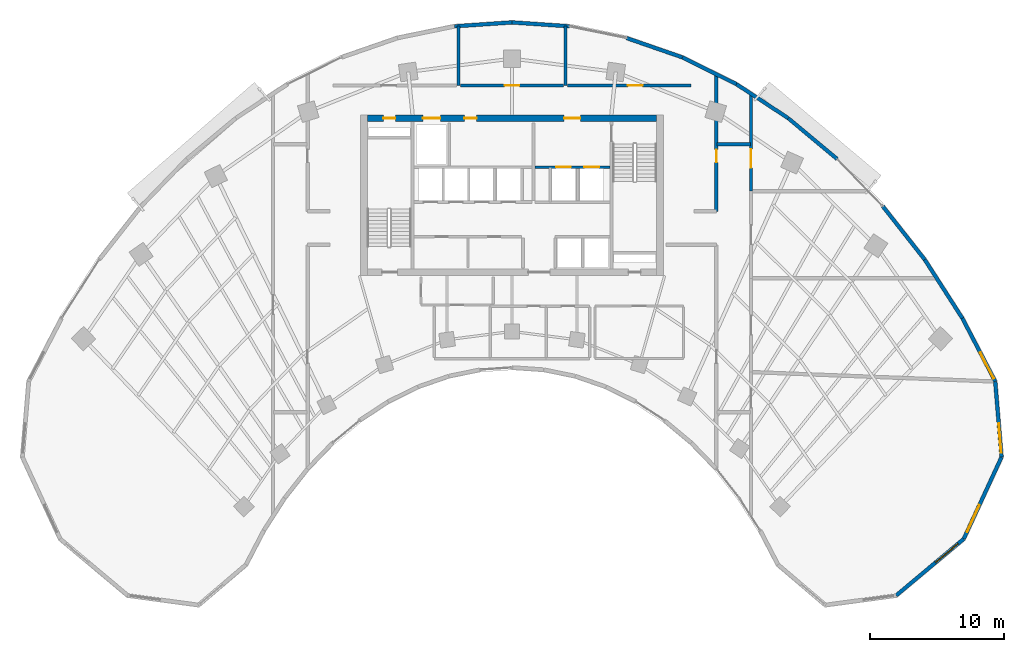
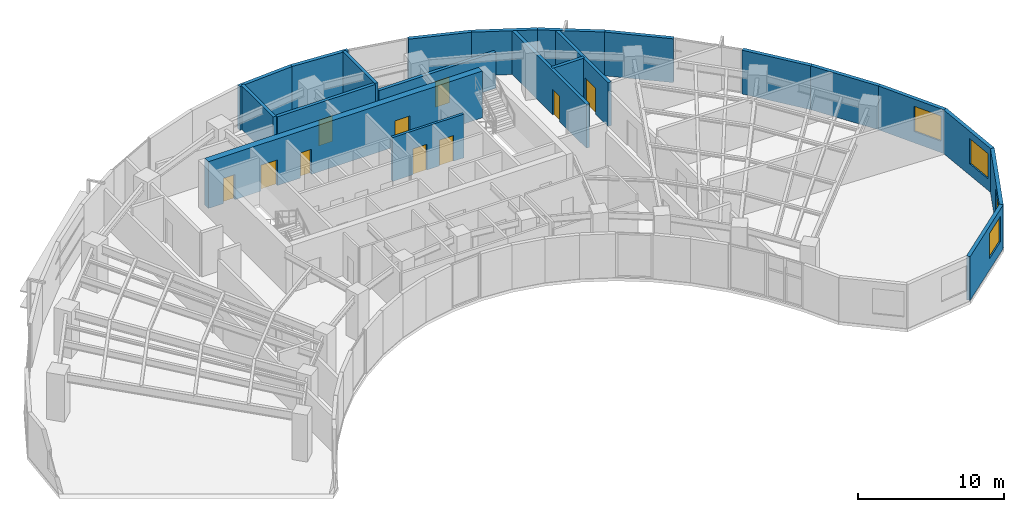
# One storey, part 11 of 14: 21 walls, 10 doors, 4 windows, 14 openings.
"""IFC4 building model written with IfcOpenShell, lengths in metres."""

from ifc_helpers import new_model, si_unit, direction, frame, frame_2d, origin, place, context, subcontext, project, spatial, rectangle, extrude, source, transform, mapped, material, layer, layer_set, type_object, type_shapes, element, fill, save


model = new_model("IFC4")

# Units and contexts
model_context = context("Model", 3, precision=1e-05, world=origin(), true_north=direction((0.0, 1.0)))
body_context = subcontext(model_context, "Body", "Model", "MODEL_VIEW")
ifc_project = project(units=[si_unit("LENGTHUNIT", "METRE"), si_unit("AREAUNIT", "SQUARE_METRE"), si_unit("VOLUMEUNIT", "CUBIC_METRE"), si_unit("PLANEANGLEUNIT", "RADIAN"), si_unit("MASSUNIT", "GRAM", prefix="KILO")], contexts=[model_context])

# Site, building, storey
site_placement = place(None, origin())
site = spatial("IfcSite", under=ifc_project, at=site_placement, CompositionType="ELEMENT")
building_placement = place(site_placement, origin())
building = spatial("IfcBuilding", under=site, at=building_placement, Name="Breltana Convention Tower", CompositionType="ELEMENT")
storey_placement = place(building_placement, frame((0.0, 0.0, 119.39990234375)))
storey = spatial("IfcBuildingStorey", under=building, at=storey_placement, Name="L28", CompositionType="ELEMENT", Elevation=119.39990234375)

# Wall, openings, doors
ifc_material_1 = material(Name="Concrete C60/75", Category="concrete")
ifc_layer_1 = layer(ifc_material_1, 0.5, Name="Concrete C60/75")
ifc_layer_set_1 = layer_set([ifc_layer_1], Name="Concrete C60/75")
wall_type_1 = type_object("IfcWallType", Name="SW-CORE-500", PredefinedType="SHEAR", material=ifc_layer_set_1)
shared_shape_1 = source(origin(), body_context, "Body", "SweptSolid", [
    extrude(rectangle(XDim=21.60009765625, YDim=0.5, at=frame_2d((10.800048828125, 0.0))), origin(), (0.0, 0.0, 1.0), 3.900146484375),
])
wall_1_placement = place(storey_placement, frame((37.199951171875, 71.949951171875, 0.0), z_axis=(0.0, 0.0, 1.0), x_axis=(1.0, 0.0, 0.0)))
wall_1 = element("IfcWall", 1, at=wall_1_placement, inside=storey, type_object=wall_type_1, Name="L28 North Core Shear Wall", PredefinedType="SHEAR", context=body_context, shape_type="MappedRepresentation", body=[
    mapped(shared_shape_1, transform((0.0, 0.0, 0.0), scale=1.0)),
])
opening_1_placement = place(wall_1_placement, frame((1.199951171875, 0.0, 0.0)))
opening_1 = element("IfcOpeningElement", 2, at=opening_1_placement, cuts=wall_1, Name="Opening D-18", PredefinedType="OPENING", context=body_context, shape_type="SweptSolid", body=[
    extrude(rectangle(XDim=0.89990234375, YDim=2.10009765625, at=frame_2d((0.449951171875, 1.050048828125))), frame((0.0, 0.260009765625, 0.0), z_axis=(0.0, -1.0, 0.0), x_axis=(1.0, 0.0, 0.0)), (0.0, 0.0, 1.0), 0.52001953125),
])
opening_2_placement = place(wall_1_placement, frame((14.699951171875, 0.0, 0.0)))
opening_2 = element("IfcOpeningElement", 3, at=opening_2_placement, cuts=wall_1, Name="Opening D-09", PredefinedType="OPENING", context=body_context, shape_type="SweptSolid", body=[
    extrude(rectangle(XDim=1.199951171875, YDim=2.14990234375, at=frame_2d((0.60009765625, 1.074951171875))), frame((0.0, 0.260009765625, 0.0), z_axis=(0.0, -1.0, 0.0), x_axis=(1.0, 0.0, 0.0)), (0.0, 0.0, 1.0), 0.52001953125),
])
opening_3_placement = place(wall_1_placement, frame((4.14990234375, 0.0, 0.0)))
opening_3 = element("IfcOpeningElement", 4, at=opening_3_placement, cuts=wall_1, Name="Opening LD-01", PredefinedType="OPENING", context=body_context, shape_type="SweptSolid", body=[
    extrude(rectangle(XDim=1.300048828125, YDim=2.14990234375, at=frame_2d((0.64990234375, 1.074951171875))), frame((0.0, 0.260009765625, 0.0), z_axis=(0.0, -1.0, 0.0), x_axis=(1.0, 0.0, 0.0)), (0.0, 0.0, 1.0), 0.52001953125),
])
opening_4_placement = place(wall_1_placement, frame((7.25, 0.0, 0.0)))
opening_4 = element("IfcOpeningElement", 5, at=opening_4_placement, cuts=wall_1, Name="Opening D-18", PredefinedType="OPENING", context=body_context, shape_type="SweptSolid", body=[
    extrude(rectangle(XDim=0.89990234375, YDim=2.10009765625, at=frame_2d((0.449951171875, 1.050048828125))), frame((0.0, 0.260009765625, 0.0), z_axis=(0.0, -1.0, 0.0), x_axis=(1.0, 0.0, 0.0)), (0.0, 0.0, 1.0), 0.52001953125),
])
ifc_material_2 = material(Name="Steel Riser Fire Door", Category="steel")
door_type_1 = type_object("IfcDoorType", Name="DR-FD60-900", OperationType="NOTDEFINED", PredefinedType="DOOR", material=ifc_material_2)
shared_shape_2 = source(origin(), body_context, "Body", "SweptSolid", [
    extrude(rectangle(XDim=0.89990234375, YDim=2.10009765625, at=frame_2d((0.449951171875, 1.050048828125))), frame((0.0, 0.02490234375, 0.0), z_axis=(0.0, -1.0, 0.0), x_axis=(1.0, 0.0, 0.0)), (0.0, 0.0, 1.0), 0.050048828125),
])
type_shapes(door_type_1, [shared_shape_2])
door_1_placement = place(opening_1_placement, origin())
door_1 = element("IfcDoor", 6, at=door_1_placement, inside=storey, type_object=door_type_1, Name="L28 Core Riser Access Door D-L28-RS1", OperationType="SINGLE_SWING_LEFT", OverallHeight=2.10009765625, OverallWidth=0.89990234375, PredefinedType="DOOR", context=body_context, shape_type="MappedRepresentation", body=[
    mapped(shared_shape_2, transform((0.0, 0.0, 0.0), scale=1.0)),
])
fill(opening_1, door_1)
door_2_placement = place(opening_4_placement, origin())
door_2 = element("IfcDoor", 7, at=door_2_placement, inside=storey, type_object=door_type_1, Name="L28 interior door D-L28-CRA1", OperationType="SINGLE_SWING_RIGHT", OverallHeight=2.10009765625, OverallWidth=0.89990234375, PredefinedType="DOOR", context=body_context, shape_type="MappedRepresentation", body=[
    mapped(shared_shape_2, transform((0.0, 0.0, 0.0), scale=1.0)),
])
fill(opening_4, door_2)
ifc_material_3 = material(Name="Steel Fire Lobby Door", Category="steel")
door_type_2 = type_object("IfcDoorType", Name="DR-FD120-1200", OperationType="NOTDEFINED", PredefinedType="DOOR", material=ifc_material_3)
shared_shape_3 = source(origin(), body_context, "Body", "SweptSolid", [
    extrude(rectangle(XDim=1.199951171875, YDim=2.14990234375, at=frame_2d((0.60009765625, 1.074951171875))), frame((0.0, 0.02490234375, 0.0), z_axis=(0.0, -1.0, 0.0), x_axis=(1.0, 0.0, 0.0)), (0.0, 0.0, 1.0), 0.050048828125),
])
type_shapes(door_type_2, [shared_shape_3])
door_3_placement = place(opening_2_placement, origin())
door_3 = element("IfcDoor", 8, at=door_3_placement, inside=storey, type_object=door_type_2, Name="L28 interior door D-L28-FFL-N", OperationType="SINGLE_SWING_RIGHT", OverallHeight=2.14990234375, OverallWidth=1.199951171875, PredefinedType="DOOR", context=body_context, shape_type="MappedRepresentation", body=[
    mapped(shared_shape_3, transform((0.0, 0.0, 0.0), scale=1.0)),
])
fill(opening_2, door_3)
ifc_material_4 = material(Name="Stainless Steel Brushed", Category="steel")
door_type_3 = type_object("IfcDoorType", Name="DR-LD-SRV-1300", OperationType="DOUBLE_DOOR_SLIDING", PredefinedType="DOOR", material=ifc_material_4)
shared_shape_4 = source(origin(), body_context, "Body", "SweptSolid", [
    extrude(rectangle(XDim=1.300048828125, YDim=2.14990234375, at=frame_2d((0.64990234375, 1.074951171875))), frame((0.0, 0.02490234375, 0.0), z_axis=(0.0, -1.0, 0.0), x_axis=(1.0, 0.0, 0.0)), (0.0, 0.0, 1.0), 0.050048828125),
])
type_shapes(door_type_3, [shared_shape_4])
door_4_placement = place(opening_3_placement, origin())
door_4 = element("IfcDoor", 9, at=door_4_placement, inside=storey, type_object=door_type_3, Name="L28 Lift Landing Door D-L28-LD-SV1", OperationType="DOUBLE_DOOR_SLIDING", OverallHeight=2.14990234375, OverallWidth=1.300048828125, PredefinedType="DOOR", context=body_context, shape_type="MappedRepresentation", body=[
    mapped(shared_shape_4, transform((0.0, 0.0, 0.0), scale=1.0)),
])
fill(opening_3, door_4)

# Wall, opening, window
ifc_material_5 = material(Name="Limestone Buff Insulated Wall", Category="masonry")
ifc_layer_2 = layer(ifc_material_5, 0.280029296875, Name="Limestone Buff Insulated Wall")
ifc_layer_set_2 = layer_set([ifc_layer_2], Name="Limestone Buff Insulated Wall")
wall_type_2 = type_object("IfcWallType", Name="WL-EXT-NOSE-280", PredefinedType="SOLIDWALL", material=ifc_layer_set_2)
shared_shape_5 = source(origin(), body_context, "Body", "SweptSolid", [
    extrude(rectangle(XDim=5.673583984375, YDim=0.280029296875, at=frame_2d((2.8369140625, 0.0))), origin(), (0.0, 0.0, 1.0), 3.650146484375),
])
wall_2_placement = place(storey_placement, frame((84.07763671875, 52.305419921875, 0.0), z_axis=(0.0, 0.0, 1.0), x_axis=(0.083309007867, -0.996523762491, 0.0)))
wall_2 = element("IfcWall", 10, at=wall_2_placement, inside=storey, type_object=wall_type_2, Name="L28 curved limestone nose wall E1", PredefinedType="SOLIDWALL", context=body_context, shape_type="MappedRepresentation", body=[
    mapped(shared_shape_5, transform((0.0, 0.0, 0.0), scale=1.0)),
])
opening_5_placement = place(wall_2_placement, frame((3.155029296875, 0.0, 0.949951171875)))
opening_5 = element("IfcOpeningElement", 11, at=opening_5_placement, cuts=wall_2, Name="Opening W-03", PredefinedType="OPENING", context=body_context, shape_type="SweptSolid", body=[
    extrude(rectangle(XDim=2.199951171875, YDim=2.10009765625, at=frame_2d((1.10009765625, 1.050048828125))), frame((0.0, 0.14990234375, 0.0), z_axis=(0.0, -1.0, 0.0), x_axis=(1.0, 0.0, 0.0)), (0.0, 0.0, 1.0), 0.300048828125),
])
ifc_material_6 = material(Name="Glass Low-E Insulated Window", Category="glass")
window_type = type_object("IfcWindowType", Name="WN-NOSE-2200X2100", PartitioningType="TRIPLE_PANEL_VERTICAL", PredefinedType="WINDOW", material=ifc_material_6)
shared_shape_6 = source(origin(), body_context, "Body", "SweptSolid", [
    extrude(rectangle(XDim=2.199951171875, YDim=2.10009765625, at=frame_2d((1.10009765625, 1.050048828125))), frame((0.0, 0.030029296875, 0.0), z_axis=(0.0, -1.0, 0.0), x_axis=(1.0, 0.0, 0.0)), (0.0, 0.0, 1.0), 0.06005859375),
])
type_shapes(window_type, [shared_shape_6])
window_1_placement = place(opening_5_placement, origin())
window_1 = element("IfcWindow", 12, at=window_1_placement, inside=storey, type_object=window_type, Name="L28 nose window E1", OverallHeight=2.10009765625, OverallWidth=2.199951171875, PartitioningType="TRIPLE_PANEL_VERTICAL", PredefinedType="WINDOW", context=body_context, shape_type="MappedRepresentation", body=[
    mapped(shared_shape_6, transform((0.0, 0.0, 0.0), scale=1.0)),
])
fill(opening_5, window_1)

shared_shape_7 = source(origin(), body_context, "Body", "SweptSolid", [
    extrude(rectangle(XDim=6.731689453125, YDim=0.280029296875, at=frame_2d((3.36572265625, 0.0))), origin(), (0.0, 0.0, 1.0), 3.650146484375),
])
wall_3_placement = place(storey_placement, frame((84.55029296875, 46.651611328125, 0.0), z_axis=(0.0, 0.0, 1.0), x_axis=(-0.419644552709, -0.907688520023, 0.0)))
wall_3 = element("IfcWall", 13, at=wall_3_placement, inside=storey, type_object=wall_type_2, Name="L28 curved limestone nose wall E2", PredefinedType="SOLIDWALL", context=body_context, shape_type="MappedRepresentation", body=[
    mapped(shared_shape_7, transform((0.0, 0.0, 0.0), scale=1.0)),
])
opening_6_placement = place(wall_3_placement, frame((3.948974609375, 0.0, 0.949951171875)))
opening_6 = element("IfcOpeningElement", 14, at=opening_6_placement, cuts=wall_3, Name="Opening W-03", PredefinedType="OPENING", context=body_context, shape_type="SweptSolid", body=[
    extrude(rectangle(XDim=2.199951171875, YDim=2.10009765625, at=frame_2d((1.10009765625, 1.050048828125))), frame((0.0, 0.14990234375, 0.0), z_axis=(0.0, -1.0, 0.0), x_axis=(1.0, 0.0, 0.0)), (0.0, 0.0, 1.0), 0.300048828125),
])
window_2_placement = place(opening_6_placement, origin())
window_2 = element("IfcWindow", 15, at=window_2_placement, inside=storey, type_object=window_type, Name="L28 nose window E2", OverallHeight=2.10009765625, OverallWidth=2.199951171875, PartitioningType="TRIPLE_PANEL_VERTICAL", PredefinedType="WINDOW", context=body_context, shape_type="MappedRepresentation", body=[
    mapped(shared_shape_6, transform((0.0, 0.0, 0.0), scale=1.0)),
])
fill(opening_6, window_2)

shared_shape_8 = source(origin(), body_context, "Body", "SweptSolid", [
    extrude(rectangle(XDim=6.572998046875, YDim=0.280029296875, at=frame_2d((3.28662109375, 0.0))), origin(), (0.0, 0.0, 1.0), 3.650146484375),
])
wall_4_placement = place(storey_placement, frame((81.725341796875, 40.541259765625, 0.0), z_axis=(0.0, 0.0, 1.0), x_axis=(-0.766715154163, -0.641987439423, 0.0)))
wall_4 = element("IfcWall", 16, at=wall_4_placement, inside=storey, type_object=wall_type_2, Name="L28 curved limestone nose wall E3", PredefinedType="SOLIDWALL", context=body_context, shape_type="MappedRepresentation", body=[
    mapped(shared_shape_8, transform((0.0, 0.0, 0.0), scale=1.0)),
])
opening_7_placement = place(wall_4_placement, frame((0.543212890625, 0.0, 0.949951171875)))
opening_7 = element("IfcOpeningElement", 17, at=opening_7_placement, cuts=wall_4, Name="Opening W-03", PredefinedType="OPENING", context=body_context, shape_type="SweptSolid", body=[
    extrude(rectangle(XDim=2.199951171875, YDim=2.10009765625, at=frame_2d((1.10009765625, 1.050048828125))), frame((0.0, 0.14990234375, 0.0), z_axis=(0.0, -1.0, 0.0), x_axis=(1.0, 0.0, 0.0)), (0.0, 0.0, 1.0), 0.300048828125),
])
window_3_placement = place(opening_7_placement, origin())
window_3 = element("IfcWindow", 18, at=window_3_placement, inside=storey, type_object=window_type, Name="L28 nose window E3", OverallHeight=2.10009765625, OverallWidth=2.199951171875, PartitioningType="TRIPLE_PANEL_VERTICAL", PredefinedType="WINDOW", context=body_context, shape_type="MappedRepresentation", body=[
    mapped(shared_shape_6, transform((0.0, 0.0, 0.0), scale=1.0)),
])
fill(opening_7, window_3)

shared_shape_9 = source(origin(), body_context, "Body", "SweptSolid", [
    extrude(rectangle(XDim=5.315185546875, YDim=0.280029296875, at=frame_2d((2.65771484375, 0.0))), origin(), (0.0, 0.0, 1.0), 3.650146484375),
])
wall_5_placement = place(storey_placement, frame((81.623291015625, 57.02001953125, 0.0), z_axis=(0.0, 0.0, 1.0), x_axis=(0.461760527822, -0.887004630735, 0.0)))
wall_5 = element("IfcWall", 19, at=wall_5_placement, inside=storey, type_object=wall_type_2, Name="L28 curved limestone nose wall E34", PredefinedType="SOLIDWALL", context=body_context, shape_type="MappedRepresentation", body=[
    mapped(shared_shape_9, transform((0.0, 0.0, 0.0), scale=1.0)),
])
opening_8_placement = place(wall_5_placement, frame((2.886474609375, 0.0, 0.949951171875)))
opening_8 = element("IfcOpeningElement", 20, at=opening_8_placement, cuts=wall_5, Name="Opening W-03", PredefinedType="OPENING", context=body_context, shape_type="SweptSolid", body=[
    extrude(rectangle(XDim=2.199951171875, YDim=2.10009765625, at=frame_2d((1.10009765625, 1.050048828125))), frame((0.0, 0.14990234375, 0.0), z_axis=(0.0, -1.0, 0.0), x_axis=(1.0, 0.0, 0.0)), (0.0, 0.0, 1.0), 0.300048828125),
])
window_4_placement = place(opening_8_placement, origin())
window_4 = element("IfcWindow", 21, at=window_4_placement, inside=storey, type_object=window_type, Name="L28 nose window E34", OverallHeight=2.10009765625, OverallWidth=2.199951171875, PartitioningType="TRIPLE_PANEL_VERTICAL", PredefinedType="WINDOW", context=body_context, shape_type="MappedRepresentation", body=[
    mapped(shared_shape_6, transform((0.0, 0.0, 0.0), scale=1.0)),
])
fill(opening_8, window_4)

# Walls
shared_shape_10 = source(origin(), body_context, "Body", "SweptSolid", [
    extrude(rectangle(XDim=5.05810546875, YDim=0.280029296875, at=frame_2d((2.529052734375, 0.0))), origin(), (0.0, 0.0, 1.0), 3.650146484375),
])
wall_6_placement = place(storey_placement, frame((75.684814453125, 65.37646484375, 0.0), z_axis=(0.0, 0.0, 1.0), x_axis=(0.618145507434, -0.786063694391, 0.0)))
element("IfcWall", 22, at=wall_6_placement, inside=storey, type_object=wall_type_2, Name="L28 curved limestone nose wall E32", PredefinedType="SOLIDWALL", context=body_context, shape_type="MappedRepresentation", body=[
    mapped(shared_shape_10, transform((0.0, 0.0, 0.0), scale=1.0)),
])
shared_shape_11 = source(origin(), body_context, "Body", "SweptSolid", [
    extrude(rectangle(XDim=4.76220703125, YDim=0.280029296875, at=frame_2d((2.381103515625, 0.0))), origin(), (0.0, 0.0, 1.0), 3.650146484375),
])
wall_7_placement = place(storey_placement, frame((68.6181640625, 71.957763671875, 0.0), z_axis=(0.0, 0.0, 1.0), x_axis=(0.767952279762, -0.640507061638, 0.0)))
element("IfcWall", 23, at=wall_7_placement, inside=storey, type_object=wall_type_2, Name="L28 curved limestone nose wall E31", PredefinedType="SOLIDWALL", context=body_context, shape_type="MappedRepresentation", body=[
    mapped(shared_shape_11, transform((0.0, 0.0, 0.0), scale=1.0)),
])
shared_shape_12 = source(origin(), body_context, "Body", "SweptSolid", [
    extrude(rectangle(XDim=4.625732421875, YDim=0.280029296875, at=frame_2d((2.31298828125, 0.0))), origin(), (0.0, 0.0, 1.0), 3.650146484375),
])
wall_8_placement = place(storey_placement, frame((64.751220703125, 74.496337890625, 0.0), z_axis=(0.0, 0.0, 1.0), x_axis=(0.83595938331, -0.548791316855, 0.0)))
element("IfcWall", 24, at=wall_8_placement, inside=storey, type_object=wall_type_2, Name="L28 curved limestone nose wall E30", PredefinedType="SOLIDWALL", context=body_context, shape_type="MappedRepresentation", body=[
    mapped(shared_shape_12, transform((0.0, 0.0, 0.0), scale=1.0)),
])
shared_shape_13 = source(origin(), body_context, "Body", "SweptSolid", [
    extrude(rectangle(XDim=4.408935546875, YDim=0.280029296875, at=frame_2d((2.20458984375, 0.0))), origin(), (0.0, 0.0, 1.0), 3.650146484375),
])
wall_9_placement = place(storey_placement, frame((56.54833984375, 77.94091796875, 0.0), z_axis=(0.0, 0.0, 1.0), x_axis=(0.944879374121, -0.327418643881, 0.0)))
element("IfcWall", 25, at=wall_9_placement, inside=storey, type_object=wall_type_2, Name="L28 curved limestone nose wall E28", PredefinedType="SOLIDWALL", context=body_context, shape_type="MappedRepresentation", body=[
    mapped(shared_shape_13, transform((0.0, 0.0, 0.0), scale=1.0)),
])
shared_shape_14 = source(origin(), body_context, "Body", "SweptSolid", [
    extrude(rectangle(XDim=4.3056640625, YDim=0.280029296875, at=frame_2d((2.15283203125, 0.0))), origin(), (0.0, 0.0, 1.0), 3.650146484375),
])
for number, where, z_axis, x_axis, name in (
    (26, (43.7041015625, 78.81298828125, 0.0), (0.0, 0.0, 1.0), (0.997705679258, 0.067700646797, 0.0), "L28 curved limestone nose wall E26"),
    (27, (48.0, 79.1044921875, 0.0), (0.0, 0.0, 1.0), (0.997705679258, -0.067700646797, 0.0), "L28 curved limestone nose wall E27"),
):
    element("IfcWall", number, at=place(storey_placement, frame(where, z_axis=z_axis, x_axis=x_axis)), inside=storey, type_object=wall_type_2, Name=name, PredefinedType="SOLIDWALL", context=body_context, shape_type="MappedRepresentation", body=[
        mapped(shared_shape_14, transform((0.0, 0.0, 0.0), scale=1.0)),
    ])
shared_shape_15 = source(origin(), body_context, "Body", "SweptSolid", [
    extrude(rectangle(XDim=4.505615234375, YDim=0.280029296875, at=frame_2d((2.2529296875, 0.0))), origin(), (0.0, 0.0, 1.0), 3.650146484375),
])
wall_10_placement = place(storey_placement, frame((60.71435546875, 76.497314453125, 0.0), z_axis=(0.0, 0.0, 1.0), x_axis=(0.89597155075, -0.444111450254, 0.0)))
element("IfcWall", 28, at=wall_10_placement, inside=storey, type_object=wall_type_2, Name="L28 curved limestone nose wall E29", PredefinedType="SOLIDWALL", context=body_context, shape_type="MappedRepresentation", body=[
    mapped(shared_shape_15, transform((0.0, 0.0, 0.0), scale=1.0)),
])
shared_shape_16 = source(origin(), body_context, "Body", "SweptSolid", [
    extrude(rectangle(XDim=5.205078125, YDim=0.280029296875, at=frame_2d((2.6025390625, 0.0))), origin(), (0.0, 0.0, 1.0), 3.650146484375),
])
wall_11_placement = place(storey_placement, frame((78.8115234375, 61.400390625, 0.0), z_axis=(0.0, 0.0, 1.0), x_axis=(0.540188528895, -0.8415440293, 0.0)))
element("IfcWall", 29, at=wall_11_placement, inside=storey, type_object=wall_type_2, Name="L28 curved limestone nose wall E33", PredefinedType="SOLIDWALL", context=body_context, shape_type="MappedRepresentation", body=[
    mapped(shared_shape_16, transform((0.0, 0.0, 0.0), scale=1.0)),
])

# Wall, openings, doors
ifc_material_7 = material(Name="Autoclaved Aerated Concrete Block", Category="concrete")
ifc_layer_3 = layer(ifc_material_7, 0.199951171875, Name="Autoclaved Aerated Concrete Block")
ifc_layer_set_3 = layer_set([ifc_layer_3], Name="Autoclaved Aerated Concrete Block")
wall_type_3 = type_object("IfcWallType", Name="WL-SHAFT-200", PredefinedType="SOLIDWALL", material=ifc_layer_set_3)
shared_shape_17 = source(origin(), body_context, "Body", "SweptSolid", [
    extrude(rectangle(XDim=5.6201171875, YDim=0.199951171875, at=frame_2d((2.81005859375, 0.0))), origin(), (0.0, 0.0, 1.0), 3.650146484375),
])
wall_12_placement = place(storey_placement, frame((49.699951171875, 68.300048828125, 0.0), z_axis=(0.0, 0.0, 1.0), x_axis=(1.0, 0.0, 0.0)))
wall_12 = element("IfcWall", 30, at=wall_12_placement, inside=storey, type_object=wall_type_3, Name="L28 interior partition W-L28-FFL-S", PredefinedType="SOLIDWALL", context=body_context, shape_type="MappedRepresentation", body=[
    mapped(shared_shape_17, transform((0.0, 0.0, 0.0), scale=1.0)),
])
opening_9_placement = place(wall_12_placement, frame((1.60009765625, 0.0, 0.0)))
opening_9 = element("IfcOpeningElement", 31, at=opening_9_placement, cuts=wall_12, Name="Opening LD-03", PredefinedType="OPENING", context=body_context, shape_type="SweptSolid", body=[
    extrude(rectangle(XDim=1.10009765625, YDim=2.14990234375, at=frame_2d((0.550048828125, 1.074951171875))), frame((0.0, 0.10986328125, 0.0), z_axis=(0.0, -1.0, 0.0), x_axis=(1.0, 0.0, 0.0)), (0.0, 0.0, 1.0), 0.219970703125),
])
opening_10_placement = place(wall_12_placement, frame((3.699951171875, 0.0, 0.0)))
opening_10 = element("IfcOpeningElement", 32, at=opening_10_placement, cuts=wall_12, Name="Opening LD-03", PredefinedType="OPENING", context=body_context, shape_type="SweptSolid", body=[
    extrude(rectangle(XDim=1.10009765625, YDim=2.14990234375, at=frame_2d((0.550048828125, 1.074951171875))), frame((0.0, 0.10986328125, 0.0), z_axis=(0.0, -1.0, 0.0), x_axis=(1.0, 0.0, 0.0)), (0.0, 0.0, 1.0), 0.219970703125),
])
door_type_4 = type_object("IfcDoorType", Name="DR-LD-FF-1100", OperationType="DOUBLE_DOOR_SLIDING", PredefinedType="DOOR", material=ifc_material_4)
shared_shape_18 = source(origin(), body_context, "Body", "SweptSolid", [
    extrude(rectangle(XDim=1.10009765625, YDim=2.14990234375, at=frame_2d((0.550048828125, 1.074951171875))), frame((0.0, 0.02490234375, 0.0), z_axis=(0.0, -1.0, 0.0), x_axis=(1.0, 0.0, 0.0)), (0.0, 0.0, 1.0), 0.050048828125),
])
type_shapes(door_type_4, [shared_shape_18])
door_5_placement = place(opening_9_placement, origin())
door_5 = element("IfcDoor", 33, at=door_5_placement, inside=storey, type_object=door_type_4, Name="L28 Lift Landing Door D-L28-LD-FL1", OperationType="DOUBLE_DOOR_SLIDING", OverallHeight=2.14990234375, OverallWidth=1.10009765625, PredefinedType="DOOR", context=body_context, shape_type="MappedRepresentation", body=[
    mapped(shared_shape_18, transform((0.0, 0.0, 0.0), scale=1.0)),
])
fill(opening_9, door_5)
door_6_placement = place(opening_10_placement, origin())
door_6 = element("IfcDoor", 34, at=door_6_placement, inside=storey, type_object=door_type_4, Name="L28 Lift Landing Door D-L28-LD-FL2", OperationType="DOUBLE_DOOR_SLIDING", OverallHeight=2.14990234375, OverallWidth=1.10009765625, PredefinedType="DOOR", context=body_context, shape_type="MappedRepresentation", body=[
    mapped(shared_shape_18, transform((0.0, 0.0, 0.0), scale=1.0)),
])
fill(opening_10, door_6)

# Wall
ifc_material_8 = material(Name="Gypsum Acoustic Double Stud Wall")
ifc_layer_4 = layer(ifc_material_8, 0.25, Name="Gypsum Acoustic Double Stud Wall")
ifc_layer_set_4 = layer_set([ifc_layer_4], Name="Gypsum Acoustic Double Stud Wall")
wall_type_4 = type_object("IfcWallType", Name="WL-ACOUSTIC-250", PredefinedType="PARTITIONING", material=ifc_layer_set_4)
shared_shape_19 = source(origin(), body_context, "Body", "SweptSolid", [
    extrude(rectangle(XDim=2.5, YDim=0.25, at=frame_2d((1.25, 0.0))), origin(), (0.0, 0.0, 1.0), 3.650146484375),
])
wall_13_placement = place(storey_placement, frame((63.300048828125, 70.0, 0.0), z_axis=(0.0, 0.0, 1.0), x_axis=(1.0, 0.0, 0.0)))
element("IfcWall", 35, at=wall_13_placement, inside=storey, type_object=wall_type_4, Name="L28 interior partition W-L28-CORNE-N", PredefinedType="PARTITIONING", context=body_context, shape_type="MappedRepresentation", body=[
    mapped(shared_shape_19, transform((0.0, 0.0, 0.0), scale=1.0)),
])

# Wall, opening, door
shared_shape_20 = source(origin(), body_context, "Body", "SweptSolid", [
    extrude(rectangle(XDim=7.26953125, YDim=0.25, at=frame_2d((3.634765625, 0.0))), origin(), (0.0, 0.0, 1.0), 3.650146484375),
])
wall_14_placement = place(storey_placement, frame((65.840087890625, 66.5, 0.0), z_axis=(0.0, 0.0, 1.0), x_axis=(0.0, 1.0, 0.0)))
wall_14 = element("IfcWall", 36, at=wall_14_placement, inside=storey, type_object=wall_type_4, Name="L28 interior partition W-L28-ZE4-W", PredefinedType="PARTITIONING", context=body_context, shape_type="MappedRepresentation", body=[
    mapped(shared_shape_20, transform((0.0, 0.0, 0.0), scale=1.0)),
])
opening_11_placement = place(wall_14_placement, frame((1.75, 0.0, 0.0)))
opening_11 = element("IfcOpeningElement", 37, at=opening_11_placement, cuts=wall_14, Name="Opening D-05", PredefinedType="OPENING", context=body_context, shape_type="SweptSolid", body=[
    extrude(rectangle(XDim=1.39990234375, YDim=2.14990234375, at=frame_2d((0.699951171875, 1.074951171875))), frame((0.0, 0.135009765625, 0.0), z_axis=(0.0, -1.0, 0.0), x_axis=(1.0, 0.0, 0.0)), (0.0, 0.0, 1.0), 0.27001953125),
])
ifc_material_9 = material(Name="Timber Veneer Glazed Double Door", Category="wood")
door_type_5 = type_object("IfcDoorType", Name="DR-DBL-1400", OperationType="DOUBLE_DOOR_SINGLE_SWING", PredefinedType="DOOR", material=ifc_material_9)
shared_shape_21 = source(origin(), body_context, "Body", "SweptSolid", [
    extrude(rectangle(XDim=1.39990234375, YDim=2.14990234375, at=frame_2d((0.699951171875, 1.074951171875))), frame((0.0, 0.02490234375, 0.0), z_axis=(0.0, -1.0, 0.0), x_axis=(1.0, 0.0, 0.0)), (0.0, 0.0, 1.0), 0.050048828125),
])
type_shapes(door_type_5, [shared_shape_21])
door_7_placement = place(opening_11_placement, origin())
door_7 = element("IfcDoor", 38, at=door_7_placement, inside=storey, type_object=door_type_5, Name="L28 interior door D-L28-ZE4", OperationType="SINGLE_SWING_RIGHT", OverallHeight=2.14990234375, OverallWidth=1.39990234375, PredefinedType="DOOR", context=body_context, shape_type="MappedRepresentation", body=[
    mapped(shared_shape_21, transform((0.0, 0.0, 0.0), scale=1.0)),
])
fill(opening_11, door_7)

shared_shape_22 = source(origin(), body_context, "Body", "SweptSolid", [
    extrude(rectangle(XDim=9.2001953125, YDim=0.25, at=frame_2d((4.60009765625, 0.0))), origin(), (0.0, 0.0, 1.0), 3.022216796875),
])
wall_15_placement = place(storey_placement, frame((52.14990234375, 74.39990234375, 0.0), z_axis=(0.0, 0.0, 1.0), x_axis=(1.0, 0.0, 0.0)))
wall_15 = element("IfcWall", 39, at=wall_15_placement, inside=storey, type_object=wall_type_4, Name="L28 interior partition W-L28-ZN3-S", PredefinedType="PARTITIONING", context=body_context, shape_type="MappedRepresentation", body=[
    mapped(shared_shape_22, transform((0.0, 0.0, 0.0), scale=1.0)),
])
opening_12_placement = place(wall_15_placement, frame((4.5, 0.0, 0.0)))
opening_12 = element("IfcOpeningElement", 40, at=opening_12_placement, cuts=wall_15, Name="Opening D-12", PredefinedType="OPENING", context=body_context, shape_type="SweptSolid", body=[
    extrude(rectangle(XDim=1.10009765625, YDim=2.14990234375, at=frame_2d((0.550048828125, 1.074951171875))), frame((0.0, 0.135009765625, 0.0), z_axis=(0.0, -1.0, 0.0), x_axis=(1.0, 0.0, 0.0)), (0.0, 0.0, 1.0), 0.27001953125),
])
ifc_material_10 = material(Name="Timber Oak Acoustic Door", Category="wood")
door_type_6 = type_object("IfcDoorType", Name="DR-INT-1100", OperationType="NOTDEFINED", PredefinedType="DOOR", material=ifc_material_10)
shared_shape_23 = source(origin(), body_context, "Body", "SweptSolid", [
    extrude(rectangle(XDim=1.10009765625, YDim=2.14990234375, at=frame_2d((0.550048828125, 1.074951171875))), frame((0.0, 0.02490234375, 0.0), z_axis=(0.0, -1.0, 0.0), x_axis=(1.0, 0.0, 0.0)), (0.0, 0.0, 1.0), 0.050048828125),
])
type_shapes(door_type_6, [shared_shape_23])
door_8_placement = place(opening_12_placement, origin())
door_8 = element("IfcDoor", 41, at=door_8_placement, inside=storey, type_object=door_type_6, Name="L28 interior door D-L28-ZN3", OperationType="SINGLE_SWING_LEFT", OverallHeight=2.14990234375, OverallWidth=1.10009765625, PredefinedType="DOOR", context=body_context, shape_type="MappedRepresentation", body=[
    mapped(shared_shape_23, transform((0.0, 0.0, 0.0), scale=1.0)),
])
fill(opening_12, door_8)

# Walls
shared_shape_24 = source(origin(), body_context, "Body", "SweptSolid", [
    extrude(rectangle(XDim=4.423095703125, YDim=0.25, at=frame_2d((2.21142578125, 0.0))), origin(), (0.0, 0.0, 1.0), 3.650146484375),
])
for number, where, z_axis, x_axis, name in (
    (42, (44.0, 74.39990234375, 0.0), (0.0, 0.0, 1.0), (0.0, 1.0, 0.0), "L28 interior partition W-L28-ZN1-E"),
    (43, (52.0, 74.39990234375, 0.0), (0.0, 0.0, 1.0), (0.0, 1.0, 0.0), "L28 interior partition W-L28-ZN2-E"),
):
    element("IfcWall", number, at=place(storey_placement, frame(where, z_axis=z_axis, x_axis=x_axis)), inside=storey, type_object=wall_type_4, Name=name, PredefinedType="PARTITIONING", context=body_context, shape_type="MappedRepresentation", body=[
        mapped(shared_shape_24, transform((0.0, 0.0, 0.0), scale=1.0)),
    ])

# Wall, opening, door
shared_shape_25 = source(origin(), body_context, "Body", "SweptSolid", [
    extrude(rectangle(XDim=7.7001953125, YDim=0.25, at=frame_2d((3.85009765625, 0.0))), origin(), (0.0, 0.0, 1.0), 3.650146484375),
])
wall_16_placement = place(storey_placement, frame((44.14990234375, 74.39990234375, 0.0), z_axis=(0.0, 0.0, 1.0), x_axis=(1.0, 0.0, 0.0)))
wall_16 = element("IfcWall", 44, at=wall_16_placement, inside=storey, type_object=wall_type_4, Name="L28 interior partition W-L28-ZN2-S", PredefinedType="PARTITIONING", context=body_context, shape_type="MappedRepresentation", body=[
    mapped(shared_shape_25, transform((0.0, 0.0, 0.0), scale=1.0)),
])
opening_13_placement = place(wall_16_placement, frame((3.300048828125, 0.0, 0.0)))
opening_13 = element("IfcOpeningElement", 45, at=opening_13_placement, cuts=wall_16, Name="Opening D-12", PredefinedType="OPENING", context=body_context, shape_type="SweptSolid", body=[
    extrude(rectangle(XDim=1.10009765625, YDim=2.14990234375, at=frame_2d((0.550048828125, 1.074951171875))), frame((0.0, 0.135009765625, 0.0), z_axis=(0.0, -1.0, 0.0), x_axis=(1.0, 0.0, 0.0)), (0.0, 0.0, 1.0), 0.27001953125),
])
door_9_placement = place(opening_13_placement, origin())
door_9 = element("IfcDoor", 46, at=door_9_placement, inside=storey, type_object=door_type_6, Name="L28 interior door D-L28-ZN2", OperationType="SINGLE_SWING_RIGHT", OverallHeight=2.14990234375, OverallWidth=1.10009765625, PredefinedType="DOOR", context=body_context, shape_type="MappedRepresentation", body=[
    mapped(shared_shape_23, transform((0.0, 0.0, 0.0), scale=1.0)),
])
fill(opening_13, door_9)

shared_shape_26 = source(origin(), body_context, "Body", "SweptSolid", [
    extrude(rectangle(XDim=10.224365234375, YDim=0.25, at=frame_2d((5.1123046875, 0.0))), origin(), (0.0, 0.0, 1.0), 3.650146484375),
])
wall_17_placement = place(storey_placement, frame((63.260009765625, 65.0, 0.0), z_axis=(0.0, 0.0, 1.0), x_axis=(0.0, 1.0, 0.0)))
wall_17 = element("IfcWall", 47, at=wall_17_placement, inside=storey, type_object=wall_type_4, Name="L28 interior partition W-L28-ZME2-D", PredefinedType="PARTITIONING", context=body_context, shape_type="MappedRepresentation", body=[
    mapped(shared_shape_26, transform((0.0, 0.0, 0.0), scale=1.0)),
])
opening_14_placement = place(wall_17_placement, frame((3.64990234375, 0.0, 0.0)))
opening_14 = element("IfcOpeningElement", 48, at=opening_14_placement, cuts=wall_17, Name="Opening D-17", PredefinedType="OPENING", context=body_context, shape_type="SweptSolid", body=[
    extrude(rectangle(XDim=0.949951171875, YDim=2.10009765625, at=frame_2d((0.47509765625, 1.050048828125))), frame((0.0, 0.135009765625, 0.0), z_axis=(0.0, -1.0, 0.0), x_axis=(1.0, 0.0, 0.0)), (0.0, 0.0, 1.0), 0.27001953125),
])
ifc_material_11 = material(Name="Timber Oak Veneer Door", Category="wood")
door_type_7 = type_object("IfcDoorType", Name="DR-INT-950", OperationType="NOTDEFINED", PredefinedType="DOOR", material=ifc_material_11)
shared_shape_27 = source(origin(), body_context, "Body", "SweptSolid", [
    extrude(rectangle(XDim=0.949951171875, YDim=2.10009765625, at=frame_2d((0.47509765625, 1.050048828125))), frame((0.0, 0.02490234375, 0.0), z_axis=(0.0, -1.0, 0.0), x_axis=(1.0, 0.0, 0.0)), (0.0, 0.0, 1.0), 0.050048828125),
])
type_shapes(door_type_7, [shared_shape_27])
door_10_placement = place(opening_14_placement, origin())
door_10 = element("IfcDoor", 49, at=door_10_placement, inside=storey, type_object=door_type_7, Name="L28 interior door D-L28-ZME2", OperationType="SINGLE_SWING_LEFT", OverallHeight=2.10009765625, OverallWidth=0.949951171875, PredefinedType="DOOR", context=body_context, shape_type="MappedRepresentation", body=[
    mapped(shared_shape_27, transform((0.0, 0.0, 0.0), scale=1.0)),
])
fill(opening_14, door_10)

save(model, "model.ifc")
